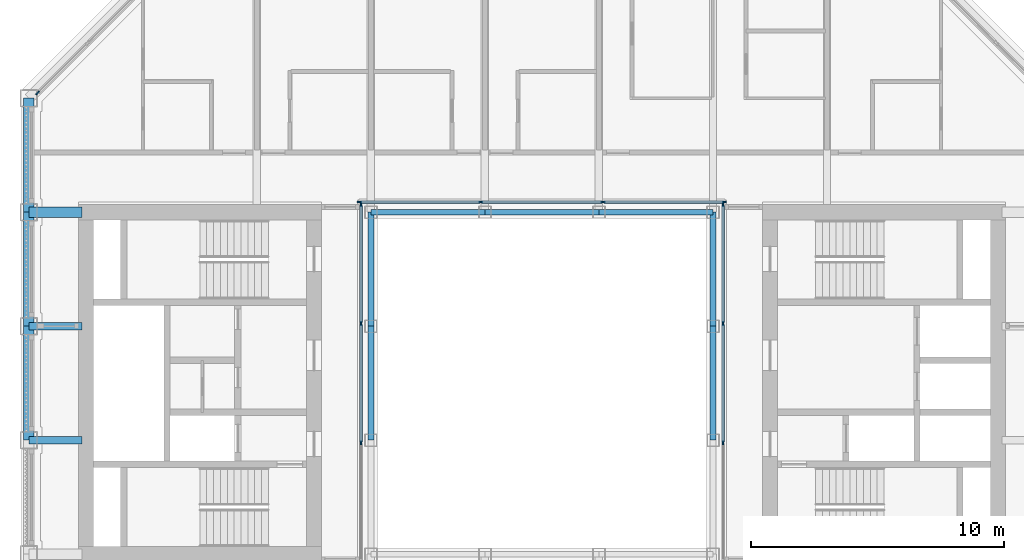
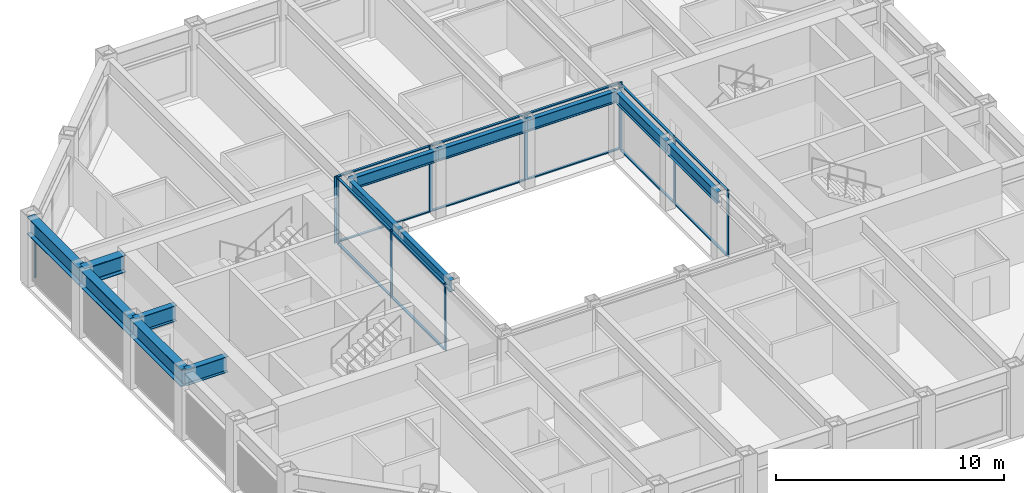
# One storey, part 4 of 18: 25 members, 13 beams, 4 elements without a shape of their own.
"""IFC4 building model written with IfcOpenShell, lengths in metres."""

from ifc_helpers import new_model, si_unit, direction, frame, origin, origin_2d, place, context, subcontext, project, spatial, rectangle, i_section, extrude, material, material_profile, profile_set, type_object, element, aggregate, save


model = new_model("IFC4")

# Units and contexts
model_context = context("Model", 3, precision=1e-05, world=origin(), true_north=direction((0.0, 1.0)))
body_context = subcontext(model_context, "Body", "Model", "MODEL_VIEW")
ifc_project = project(units=[si_unit("LENGTHUNIT", "METRE"), si_unit("AREAUNIT", "SQUARE_METRE"), si_unit("VOLUMEUNIT", "CUBIC_METRE"), si_unit("PLANEANGLEUNIT", "RADIAN"), si_unit("MASSUNIT", "GRAM", prefix="KILO")], contexts=[model_context])

# Site, building, storey
site_placement = place(None, origin())
site = spatial("IfcSite", under=ifc_project, at=site_placement, CompositionType="ELEMENT")
building_placement = place(site_placement, origin())
building = spatial("IfcBuilding", under=site, at=building_placement, Name="Msasa Ring Tower", CompositionType="ELEMENT")
storey_placement = place(building_placement, frame((0.0, 0.0, 223.300048828125)))
storey = spatial("IfcBuildingStorey", under=building, at=storey_placement, Name="L58", CompositionType="ELEMENT", Elevation=223.300048828125)

# Curtain wall, member
ifc_material_1 = material(Name="Aluminium curtain wall with clear glass", Category="aluminium")
curtain_wall_type_1 = type_object("IfcCurtainWallType", Name="CW-C CHAMFER CORNER CURTAIN WALL", PredefinedType="NOTDEFINED", material=ifc_material_1)
curtain_wall_1_placement = place(storey_placement, origin())
curtain_wall_1 = element("IfcCurtainWall", 1, at=curtain_wall_1_placement, inside=storey, type_object=curtain_wall_type_1, Name="Chamfer corner curtain wall NW L58", PredefinedType="NOTDEFINED")
ifc_material_2 = material(Name="Aluminium mullion", Category="aluminium")
ifc_material_profile_1 = material_profile(ifc_material_2, rectangle(XDim=0.06494140625, YDim=0.179931640625, at=origin_2d()), Name="AL 65x180")
ifc_profile_set_1 = profile_set([ifc_material_profile_1], Name="Aluminium mullion")
member_type_1 = type_object("IfcMemberType", Name="CW-C MULLION 65x180", PredefinedType="MULLION", material=ifc_profile_set_1)
member_1_placement = place(storey_placement, frame((-19.9052734375, 11.453369140625, 0.0), z_axis=(0.0, 0.0, 1.0), x_axis=(0.707106781187, -0.707106781187, 0.0)))
member_1 = element("IfcMember", 2, at=member_1_placement, type_object=member_type_1, Name="CW-C mullion 3", PredefinedType="MULLION", context=body_context, shape_type="SweptSolid", body=[
    extrude(rectangle(XDim=0.06494140625, YDim=0.179931640625, at=origin_2d()), origin(), (0.0, 0.0, 1.0), 2.62890625),
])
aggregate(curtain_wall_1, [member_1])

# Curtain wall, members
ifc_material_3 = material(Name="Aluminium curtain wall with clear glass", Category="aluminium")
curtain_wall_type_2 = type_object("IfcCurtainWallType", Name="CW-W LIGHT WELL CURTAIN WALL", PredefinedType="NOTDEFINED", material=ifc_material_3)
curtain_wall_2_placement = place(storey_placement, origin())
curtain_wall_2 = element("IfcCurtainWall", 3, at=curtain_wall_2_placement, inside=storey, type_object=curtain_wall_type_2, Name="Light well curtain wall N L58", PredefinedType="NOTDEFINED")
ifc_material_4 = material(Name="Aluminium mullion", Category="aluminium")
ifc_material_profile_2 = material_profile(ifc_material_4, rectangle(XDim=0.06005859375, YDim=0.159912109375, at=origin_2d()), Name="AL 60x160")
ifc_profile_set_2 = profile_set([ifc_material_profile_2], Name="Aluminium mullion")
member_type_2 = type_object("IfcMemberType", Name="CW-W MULLION 60x160", PredefinedType="MULLION", material=ifc_profile_set_2)
member_2_placement = place(storey_placement, frame((-7.199951171875, 7.14990234375, 0.0), z_axis=(0.0, 0.0, 1.0), x_axis=(0.0, 1.0, 0.0)))
member_2 = element("IfcMember", 4, at=member_2_placement, type_object=member_type_2, Name="CW-W mullion 1", PredefinedType="MULLION", context=body_context, shape_type="SweptSolid", body=[
    extrude(rectangle(XDim=0.06005859375, YDim=0.159912109375, at=origin_2d()), origin(), (0.0, 0.0, 1.0), 3.550048828125),
])
member_3_placement = place(storey_placement, frame((-2.409912109375, 7.14990234375, 0.0), z_axis=(0.0, 0.0, 1.0), x_axis=(0.0, 1.0, 0.0)))
member_3 = element("IfcMember", 5, at=member_3_placement, type_object=member_type_2, Name="CW-W mullion 2", PredefinedType="MULLION", context=body_context, shape_type="SweptSolid", body=[
    extrude(rectangle(XDim=0.06005859375, YDim=0.159912109375, at=origin_2d()), origin(), (0.0, 0.0, 1.0), 3.550048828125),
])
member_4_placement = place(storey_placement, frame((2.409912109375, 7.14990234375, 0.0), z_axis=(0.0, 0.0, 1.0), x_axis=(0.0, 1.0, 0.0)))
member_4 = element("IfcMember", 6, at=member_4_placement, type_object=member_type_2, Name="CW-W mullion 3", PredefinedType="MULLION", context=body_context, shape_type="SweptSolid", body=[
    extrude(rectangle(XDim=0.06005859375, YDim=0.159912109375, at=origin_2d()), origin(), (0.0, 0.0, 1.0), 3.550048828125),
])
member_5_placement = place(storey_placement, frame((7.199951171875, 7.14990234375, 0.0), z_axis=(0.0, 0.0, 1.0), x_axis=(0.0, 1.0, 0.0)))
member_5 = element("IfcMember", 7, at=member_5_placement, type_object=member_type_2, Name="CW-W mullion 4", PredefinedType="MULLION", context=body_context, shape_type="SweptSolid", body=[
    extrude(rectangle(XDim=0.06005859375, YDim=0.159912109375, at=origin_2d()), origin(), (0.0, 0.0, 1.0), 3.550048828125),
])

curtain_wall_3_placement = place(storey_placement, origin())
curtain_wall_3 = element("IfcCurtainWall", 8, at=curtain_wall_3_placement, inside=storey, type_object=curtain_wall_type_2, Name="Light well curtain wall E L58", PredefinedType="NOTDEFINED")
member_6_placement = place(storey_placement, frame((7.14990234375, -2.356689453125, 0.0), z_axis=(0.0, 0.0, 1.0), x_axis=(-1.0, 0.0, 0.0)))
member_6 = element("IfcMember", 9, at=member_6_placement, type_object=member_type_2, Name="CW-W mullion 2", PredefinedType="MULLION", context=body_context, shape_type="SweptSolid", body=[
    extrude(rectangle(XDim=0.06005859375, YDim=0.159912109375, at=origin_2d()), origin(), (0.0, 0.0, 1.0), 3.550048828125),
])
member_7_placement = place(storey_placement, frame((7.14990234375, 2.356689453125, 0.0), z_axis=(0.0, 0.0, 1.0), x_axis=(-1.0, 0.0, 0.0)))
member_7 = element("IfcMember", 10, at=member_7_placement, type_object=member_type_2, Name="CW-W mullion 3", PredefinedType="MULLION", context=body_context, shape_type="SweptSolid", body=[
    extrude(rectangle(XDim=0.06005859375, YDim=0.159912109375, at=origin_2d()), origin(), (0.0, 0.0, 1.0), 3.550048828125),
])
member_8_placement = place(storey_placement, frame((7.14990234375, 7.0400390625, 0.0), z_axis=(0.0, 0.0, 1.0), x_axis=(-1.0, 0.0, 0.0)))
member_8 = element("IfcMember", 11, at=member_8_placement, type_object=member_type_2, Name="CW-W mullion 4", PredefinedType="MULLION", context=body_context, shape_type="SweptSolid", body=[
    extrude(rectangle(XDim=0.06005859375, YDim=0.159912109375, at=origin_2d()), origin(), (0.0, 0.0, 1.0), 3.550048828125),
])

curtain_wall_4_placement = place(storey_placement, origin())
curtain_wall_4 = element("IfcCurtainWall", 12, at=curtain_wall_4_placement, inside=storey, type_object=curtain_wall_type_2, Name="Light well curtain wall W L58", PredefinedType="NOTDEFINED")
member_9_placement = place(storey_placement, frame((-7.14990234375, -2.356689453125, 0.0), z_axis=(0.0, 0.0, 1.0), x_axis=(-1.0, 0.0, 0.0)))
member_9 = element("IfcMember", 13, at=member_9_placement, type_object=member_type_2, Name="CW-W mullion 2", PredefinedType="MULLION", context=body_context, shape_type="SweptSolid", body=[
    extrude(rectangle(XDim=0.06005859375, YDim=0.159912109375, at=origin_2d()), origin(), (0.0, 0.0, 1.0), 3.550048828125),
])
member_10_placement = place(storey_placement, frame((-7.14990234375, 2.356689453125, 0.0), z_axis=(0.0, 0.0, 1.0), x_axis=(-1.0, 0.0, 0.0)))
member_10 = element("IfcMember", 14, at=member_10_placement, type_object=member_type_2, Name="CW-W mullion 3", PredefinedType="MULLION", context=body_context, shape_type="SweptSolid", body=[
    extrude(rectangle(XDim=0.06005859375, YDim=0.159912109375, at=origin_2d()), origin(), (0.0, 0.0, 1.0), 3.550048828125),
])
member_11_placement = place(storey_placement, frame((-7.14990234375, 7.0400390625, 0.0), z_axis=(0.0, 0.0, 1.0), x_axis=(-1.0, 0.0, 0.0)))
member_11 = element("IfcMember", 15, at=member_11_placement, type_object=member_type_2, Name="CW-W mullion 4", PredefinedType="MULLION", context=body_context, shape_type="SweptSolid", body=[
    extrude(rectangle(XDim=0.06005859375, YDim=0.159912109375, at=origin_2d()), origin(), (0.0, 0.0, 1.0), 3.550048828125),
])

# Member
ifc_material_5 = material(Name="Aluminium transom", Category="aluminium")
ifc_material_profile_3 = material_profile(ifc_material_5, rectangle(XDim=0.1201171875, YDim=0.06005859375, at=origin_2d()), Name="AL 60x120")
ifc_profile_set_3 = profile_set([ifc_material_profile_3], Name="Aluminium transom")
member_type_3 = type_object("IfcMemberType", Name="CW-W TRANSOM 60x120", PredefinedType="USERDEFINED", material=ifc_profile_set_3)
member_12_placement = place(storey_placement, frame((-7.169921875, 7.14990234375, 0.030029296875), z_axis=(1.0, 0.0, 0.0), x_axis=(0.0, 1.0, 0.0)))
member_12 = element("IfcMember", 16, at=member_12_placement, type_object=member_type_3, Name="CW-W transom 1.1", ObjectType="TRANSOM", PredefinedType="USERDEFINED", context=body_context, shape_type="SweptSolid", body=[
    extrude(rectangle(XDim=0.1201171875, YDim=0.06005859375, at=origin_2d()), origin(), (0.0, 0.0, 1.0), 4.72998046875),
])

member_13_placement = place(storey_placement, frame((-7.169921875, 7.14990234375, 3.52001953125), z_axis=(1.0, 0.0, 0.0), x_axis=(0.0, 1.0, 0.0)))
member_13 = element("IfcMember", 17, at=member_13_placement, type_object=member_type_3, Name="CW-W transom 1.2", ObjectType="TRANSOM", PredefinedType="USERDEFINED", context=body_context, shape_type="SweptSolid", body=[
    extrude(rectangle(XDim=0.1201171875, YDim=0.06005859375, at=origin_2d()), origin(), (0.0, 0.0, 1.0), 4.72998046875),
])

member_14_placement = place(storey_placement, frame((-2.3798828125, 7.14990234375, 0.030029296875), z_axis=(1.0, 0.0, 0.0), x_axis=(0.0, 1.0, 0.0)))
member_14 = element("IfcMember", 18, at=member_14_placement, type_object=member_type_3, Name="CW-W transom 2.1", ObjectType="TRANSOM", PredefinedType="USERDEFINED", context=body_context, shape_type="SweptSolid", body=[
    extrude(rectangle(XDim=0.1201171875, YDim=0.06005859375, at=origin_2d()), origin(), (0.0, 0.0, 1.0), 4.759765625),
])

member_15_placement = place(storey_placement, frame((-2.3798828125, 7.14990234375, 3.52001953125), z_axis=(1.0, 0.0, 0.0), x_axis=(0.0, 1.0, 0.0)))
member_15 = element("IfcMember", 19, at=member_15_placement, type_object=member_type_3, Name="CW-W transom 2.2", ObjectType="TRANSOM", PredefinedType="USERDEFINED", context=body_context, shape_type="SweptSolid", body=[
    extrude(rectangle(XDim=0.1201171875, YDim=0.06005859375, at=origin_2d()), origin(), (0.0, 0.0, 1.0), 4.759765625),
])

member_16_placement = place(storey_placement, frame((2.43994140625, 7.14990234375, 0.030029296875), z_axis=(1.0, 0.0, 0.0), x_axis=(0.0, 1.0, 0.0)))
member_16 = element("IfcMember", 20, at=member_16_placement, type_object=member_type_3, Name="CW-W transom 3.1", ObjectType="TRANSOM", PredefinedType="USERDEFINED", context=body_context, shape_type="SweptSolid", body=[
    extrude(rectangle(XDim=0.1201171875, YDim=0.06005859375, at=origin_2d()), origin(), (0.0, 0.0, 1.0), 4.72998046875),
])

member_17_placement = place(storey_placement, frame((2.43994140625, 7.14990234375, 3.52001953125), z_axis=(1.0, 0.0, 0.0), x_axis=(0.0, 1.0, 0.0)))
member_17 = element("IfcMember", 21, at=member_17_placement, type_object=member_type_3, Name="CW-W transom 3.2", ObjectType="TRANSOM", PredefinedType="USERDEFINED", context=body_context, shape_type="SweptSolid", body=[
    extrude(rectangle(XDim=0.1201171875, YDim=0.06005859375, at=origin_2d()), origin(), (0.0, 0.0, 1.0), 4.72998046875),
])

aggregate(curtain_wall_2, [member_2, member_3, member_4, member_5, member_12, member_13, member_14, member_15, member_16, member_17])

member_18_placement = place(storey_placement, frame((7.14990234375, -2.32666015625, 0.030029296875), z_axis=(0.0, 1.0, 0.0), x_axis=(-1.0, 0.0, 0.0)))
member_18 = element("IfcMember", 22, at=member_18_placement, type_object=member_type_3, Name="CW-W transom 2.1", ObjectType="TRANSOM", PredefinedType="USERDEFINED", context=body_context, shape_type="SweptSolid", body=[
    extrude(rectangle(XDim=0.1201171875, YDim=0.06005859375, at=origin_2d()), origin(), (0.0, 0.0, 1.0), 4.6533203125),
])

member_19_placement = place(storey_placement, frame((7.14990234375, -2.32666015625, 3.52001953125), z_axis=(0.0, 1.0, 0.0), x_axis=(-1.0, 0.0, 0.0)))
member_19 = element("IfcMember", 23, at=member_19_placement, type_object=member_type_3, Name="CW-W transom 2.2", ObjectType="TRANSOM", PredefinedType="USERDEFINED", context=body_context, shape_type="SweptSolid", body=[
    extrude(rectangle(XDim=0.1201171875, YDim=0.06005859375, at=origin_2d()), origin(), (0.0, 0.0, 1.0), 4.6533203125),
])

member_20_placement = place(storey_placement, frame((7.14990234375, 2.38671875, 0.030029296875), z_axis=(0.0, 1.0, 0.0), x_axis=(-1.0, 0.0, 0.0)))
member_20 = element("IfcMember", 24, at=member_20_placement, type_object=member_type_3, Name="CW-W transom 3.1", ObjectType="TRANSOM", PredefinedType="USERDEFINED", context=body_context, shape_type="SweptSolid", body=[
    extrude(rectangle(XDim=0.1201171875, YDim=0.06005859375, at=origin_2d()), origin(), (0.0, 0.0, 1.0), 4.623291015625),
])

member_21_placement = place(storey_placement, frame((7.14990234375, 2.38671875, 3.52001953125), z_axis=(0.0, 1.0, 0.0), x_axis=(-1.0, 0.0, 0.0)))
member_21 = element("IfcMember", 25, at=member_21_placement, type_object=member_type_3, Name="CW-W transom 3.2", ObjectType="TRANSOM", PredefinedType="USERDEFINED", context=body_context, shape_type="SweptSolid", body=[
    extrude(rectangle(XDim=0.1201171875, YDim=0.06005859375, at=origin_2d()), origin(), (0.0, 0.0, 1.0), 4.623291015625),
])

aggregate(curtain_wall_3, [member_6, member_7, member_8, member_18, member_19, member_20, member_21])

member_22_placement = place(storey_placement, frame((-7.14990234375, -2.32666015625, 0.030029296875), z_axis=(0.0, 1.0, 0.0), x_axis=(-1.0, 0.0, 0.0)))
member_22 = element("IfcMember", 26, at=member_22_placement, type_object=member_type_3, Name="CW-W transom 2.1", ObjectType="TRANSOM", PredefinedType="USERDEFINED", context=body_context, shape_type="SweptSolid", body=[
    extrude(rectangle(XDim=0.1201171875, YDim=0.06005859375, at=origin_2d()), origin(), (0.0, 0.0, 1.0), 4.6533203125),
])

member_23_placement = place(storey_placement, frame((-7.14990234375, -2.32666015625, 3.52001953125), z_axis=(0.0, 1.0, 0.0), x_axis=(-1.0, 0.0, 0.0)))
member_23 = element("IfcMember", 27, at=member_23_placement, type_object=member_type_3, Name="CW-W transom 2.2", ObjectType="TRANSOM", PredefinedType="USERDEFINED", context=body_context, shape_type="SweptSolid", body=[
    extrude(rectangle(XDim=0.1201171875, YDim=0.06005859375, at=origin_2d()), origin(), (0.0, 0.0, 1.0), 4.6533203125),
])

member_24_placement = place(storey_placement, frame((-7.14990234375, 2.38671875, 0.030029296875), z_axis=(0.0, 1.0, 0.0), x_axis=(-1.0, 0.0, 0.0)))
member_24 = element("IfcMember", 28, at=member_24_placement, type_object=member_type_3, Name="CW-W transom 3.1", ObjectType="TRANSOM", PredefinedType="USERDEFINED", context=body_context, shape_type="SweptSolid", body=[
    extrude(rectangle(XDim=0.1201171875, YDim=0.06005859375, at=origin_2d()), origin(), (0.0, 0.0, 1.0), 4.623291015625),
])

member_25_placement = place(storey_placement, frame((-7.14990234375, 2.38671875, 3.52001953125), z_axis=(0.0, 1.0, 0.0), x_axis=(-1.0, 0.0, 0.0)))
member_25 = element("IfcMember", 29, at=member_25_placement, type_object=member_type_3, Name="CW-W transom 3.2", ObjectType="TRANSOM", PredefinedType="USERDEFINED", context=body_context, shape_type="SweptSolid", body=[
    extrude(rectangle(XDim=0.1201171875, YDim=0.06005859375, at=origin_2d()), origin(), (0.0, 0.0, 1.0), 4.623291015625),
])

aggregate(curtain_wall_4, [member_9, member_10, member_11, member_22, member_23, member_24, member_25])

# Beams
ifc_material_6 = material(Name="Steel S355", Category="steel")
ifc_material_profile_4 = material_profile(ifc_material_6, i_section(OverallWidth=0.293701171875, OverallDepth=0.850830078125, WebThickness=0.01611328125, FlangeThickness=0.02685546875, FilletRadius=0.017822265625, at=origin_2d()), Name="UB 838x292x226")
ifc_profile_set_4 = profile_set([ifc_material_profile_4], Name="Steel S355")
beam_type_1 = type_object("IfcBeamType", Name="FB5 UB 838x292x226", PredefinedType="BEAM", material=ifc_profile_set_4)
for number, where, z_axis, x_axis, name in (
    (30, (-20.25, -2.25, 3.12451171875), (1.0, 0.0, 0.0), (0.0, 1.0, 0.0), "Floor beam W -2.25 under L59"),
    (31, (-20.25, 2.25, 3.12451171875), (1.0, 0.0, 0.0), (0.0, 1.0, 0.0), "Floor beam W +2.25 under L59"),
):
    element("IfcBeam", number, at=place(storey_placement, frame(where, z_axis=z_axis, x_axis=x_axis)), inside=storey, type_object=beam_type_1, Name=name, PredefinedType="BEAM", context=body_context, shape_type="SweptSolid", body=[
        extrude(i_section(OverallWidth=0.293701171875, OverallDepth=0.850830078125, WebThickness=0.01611328125, FlangeThickness=0.02685546875, FilletRadius=0.017822265625, at=origin_2d()), origin(), (0.0, 0.0, 1.0), 2.10009765625),
    ])
ifc_material_7 = material(Name="Steel S355", Category="steel")
ifc_material_profile_5 = material_profile(ifc_material_7, i_section(OverallWidth=0.42041015625, OverallDepth=0.9208984375, WebThickness=0.021484375, FlangeThickness=0.03662109375, FilletRadius=0.024169921875, at=origin_2d()), Name="UB 914x419x388")
ifc_profile_set_5 = profile_set([ifc_material_profile_5], Name="Steel S355")
beam_type_2 = type_object("IfcBeamType", Name="GB1 UB 914x419x388", PredefinedType="BEAM", material=ifc_profile_set_5)
beam_placement = place(storey_placement, frame((-18.14990234375, 6.75, 3.08935546875), z_axis=(-1.0, 0.0, 0.0), x_axis=(0.0, -1.0, 0.0)))
element("IfcBeam", 32, at=beam_placement, inside=storey, type_object=beam_type_2, Name="Girder W +6.75 under L59", PredefinedType="BEAM", context=body_context, shape_type="SweptSolid", body=[
    extrude(i_section(OverallWidth=0.42041015625, OverallDepth=0.9208984375, WebThickness=0.021484375, FlangeThickness=0.03662109375, FilletRadius=0.024169921875, at=origin_2d()), origin(), (0.0, 0.0, 1.0), 2.10009765625),
])
ifc_material_8 = material(Name="Steel S355", Category="steel")
ifc_material_profile_6 = material_profile(ifc_material_8, i_section(OverallWidth=0.230224609375, OverallDepth=0.6171875, WebThickness=0.01318359375, FlangeThickness=0.022216796875, FilletRadius=0.0126953125, at=origin_2d()), Name="UB 610x229x140")
ifc_profile_set_6 = profile_set([ifc_material_profile_6], Name="Steel S355")
beam_type_3 = type_object("IfcBeamType", Name="RB1 UB 610x229x140", PredefinedType="BEAM", material=ifc_profile_set_6)
for number, where, z_axis, x_axis, name in (
    (33, (6.75, -2.25, 3.241455078125), (0.0, 1.0, 0.0), (-1.0, 0.0, 0.0), "Inner ring beam IR+6.75-2.25 under L59"),
    (34, (6.75, 2.25, 3.241455078125), (0.0, 1.0, 0.0), (-1.0, 0.0, 0.0), "Inner ring beam IR+6.75+2.25 under L59"),
    (35, (6.75, 6.75, 3.241455078125), (-1.0, 0.0, 0.0), (0.0, -1.0, 0.0), "Inner ring beam IR+6.75+6.75 under L59"),
    (36, (2.25, 6.75, 3.241455078125), (-1.0, 0.0, 0.0), (0.0, -1.0, 0.0), "Inner ring beam IR+2.25+6.75 under L59"),
    (37, (-2.25, 6.75, 3.241455078125), (-1.0, 0.0, 0.0), (0.0, -1.0, 0.0), "Inner ring beam IR-2.25+6.75 under L59"),
    (38, (-6.75, 6.75, 3.241455078125), (0.0, -1.0, 0.0), (1.0, 0.0, 0.0), "Inner ring beam IR-6.75+6.75 under L59"),
    (39, (-6.75, 2.25, 3.241455078125), (0.0, -1.0, 0.0), (1.0, 0.0, 0.0), "Inner ring beam IR-6.75+2.25 under L59"),
):
    element("IfcBeam", number, at=place(storey_placement, frame(where, z_axis=z_axis, x_axis=x_axis)), inside=storey, type_object=beam_type_3, Name=name, PredefinedType="BEAM", context=body_context, shape_type="SweptSolid", body=[
        extrude(i_section(OverallWidth=0.230224609375, OverallDepth=0.6171875, WebThickness=0.01318359375, FlangeThickness=0.022216796875, FilletRadius=0.0126953125, at=origin_2d()), origin(), (0.0, 0.0, 1.0), 4.5),
    ])
ifc_material_9 = material(Name="Steel S355", Category="steel")
ifc_material_profile_7 = material_profile(ifc_material_9, i_section(OverallWidth=0.42041015625, OverallDepth=0.9208984375, WebThickness=0.021484375, FlangeThickness=0.03662109375, FilletRadius=0.024169921875, at=origin_2d()), Name="UB 914x419x388")
ifc_profile_set_7 = profile_set([ifc_material_profile_7], Name="Steel S355")
beam_type_4 = type_object("IfcBeamType", Name="SB1 UB 914x419x388", PredefinedType="SPANDREL", material=ifc_profile_set_7)
for number, where, z_axis, x_axis, name in (
    (40, (-20.25, 11.25, 3.08935546875), (0.0, -1.0, 0.0), (1.0, 0.0, 0.0), "Spandrel W+11.25 to W+6.75 under L59"),
    (41, (-20.25, 6.75, 3.08935546875), (0.0, -1.0, 0.0), (1.0, 0.0, 0.0), "Spandrel W+6.75 to W+2.25 under L59"),
    (42, (-20.25, 2.25, 3.08935546875), (0.0, -1.0, 0.0), (1.0, 0.0, 0.0), "Spandrel W+2.25 to W-2.25 under L59"),
):
    element("IfcBeam", number, at=place(storey_placement, frame(where, z_axis=z_axis, x_axis=x_axis)), inside=storey, type_object=beam_type_4, Name=name, PredefinedType="SPANDREL", context=body_context, shape_type="SweptSolid", body=[
        extrude(i_section(OverallWidth=0.42041015625, OverallDepth=0.9208984375, WebThickness=0.021484375, FlangeThickness=0.03662109375, FilletRadius=0.024169921875, at=origin_2d()), origin(), (0.0, 0.0, 1.0), 4.5),
    ])

save(model, "model.ifc")
